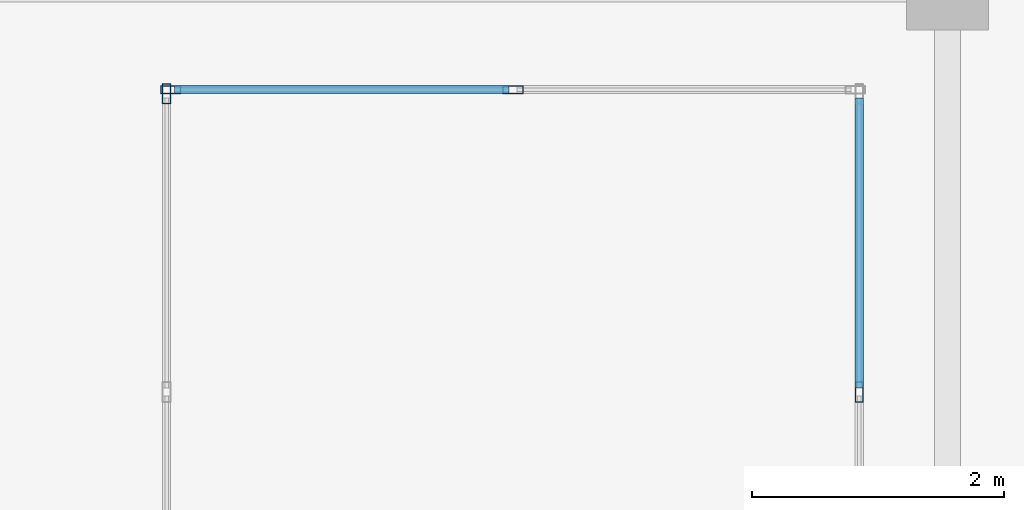
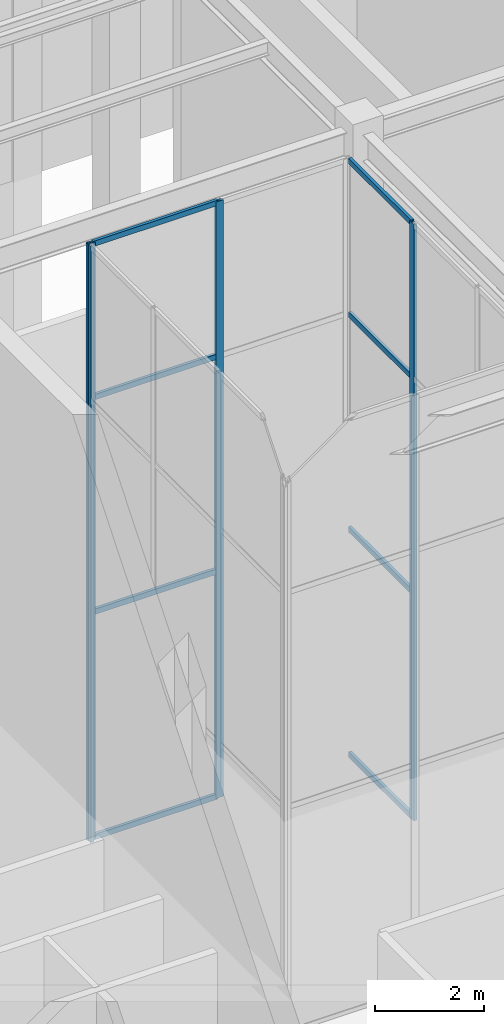
# One storey, part 8 of 15: 12 members, 3 elements without a shape of their own.
"""IFC4 building model written with IfcOpenShell, lengths in metres."""

from ifc_helpers import new_model, si_unit, direction, frame, origin, origin_2d, place, context, subcontext, project, spatial, hollow_rectangle, extrude, material, layer, layer_set, material_profile, profile_set, type_object, element, aggregate, save


model = new_model("IFC4")

# Units and contexts
model_context = context("Model", 3, precision=1e-05, world=origin(), true_north=direction((0.0, 1.0)))
body_context = subcontext(model_context, "Body", "Model", "MODEL_VIEW")
ifc_project = project(units=[si_unit("LENGTHUNIT", "METRE"), si_unit("AREAUNIT", "SQUARE_METRE"), si_unit("VOLUMEUNIT", "CUBIC_METRE"), si_unit("PLANEANGLEUNIT", "RADIAN"), si_unit("MASSUNIT", "GRAM", prefix="KILO")], contexts=[model_context])

# Site, building, storey
site_placement = place(None, origin())
site = spatial("IfcSite", under=ifc_project, at=site_placement, CompositionType="ELEMENT")
building_placement = place(site_placement, origin())
building = spatial("IfcBuilding", under=site, at=building_placement, Name="Kundavana Baori Tower", CompositionType="ELEMENT")
storey_placement = place(building_placement, frame((0.0, 0.0, 354.699951171875)))
storey = spatial("IfcBuildingStorey", under=building, at=storey_placement, Name="L88", CompositionType="ELEMENT", Elevation=354.699951171875)

# Curtain wall, member
ifc_material_1 = material(Name="Thermally Broken Anodised Aluminium Framing", Category="aluminium")
ifc_layer = layer(ifc_material_1, 0.25, Name="CW-SYS-7")
ifc_layer_set = layer_set([ifc_layer], Name="Thermally Broken Anodised Aluminium Framing")
curtain_wall_type = type_object("IfcCurtainWallType", Name="CW-SYS-7", PredefinedType="NOTDEFINED", material=ifc_layer_set)
curtain_wall_1_placement = place(storey_placement, origin())
curtain_wall_1 = element("IfcCurtainWall", 1, at=curtain_wall_1_placement, inside=storey, type_object=curtain_wall_type, Name="L88 Atrium Glazed Curtain Wall E", PredefinedType="NOTDEFINED")
ifc_material_2 = material(Name="Thermally Broken Anodised Aluminium Framing", Category="aluminium")
ifc_material_profile_1 = material_profile(ifc_material_2, hollow_rectangle(XDim=0.06494140625, YDim=0.159912109375, WallThickness=0.00390625, at=origin_2d()), Name="CW-MULL-160")
ifc_profile_set_1 = profile_set([ifc_material_profile_1], Name="Thermally Broken Anodised Aluminium Framing")
member_type_1 = type_object("IfcMemberType", Name="CW-MULL-160", PredefinedType="MULLION", material=ifc_profile_set_1)
member_1_placement = place(storey_placement, frame((33.10009765625, 29.800048828125, 0.0), z_axis=(0.0, 0.0, 1.0), x_axis=(-1.0, 0.0, 0.0)))
member_1 = element("IfcMember", 2, at=member_1_placement, type_object=member_type_1, Name="CW7 mullion 3", PredefinedType="MULLION", context=body_context, shape_type="SweptSolid", body=[
    extrude(hollow_rectangle(XDim=0.06494140625, YDim=0.159912109375, WallThickness=0.00390625, at=origin_2d()), origin(), (0.0, 0.0, 1.0), 13.400146484375),
])

# Curtain wall, members
curtain_wall_2_placement = place(storey_placement, origin())
curtain_wall_2 = element("IfcCurtainWall", 3, at=curtain_wall_2_placement, inside=storey, type_object=curtain_wall_type, Name="L88 Atrium Glazed Curtain Wall N", PredefinedType="NOTDEFINED")
member_2_placement = place(storey_placement, frame((30.35009765625, 32.199951171875, 0.0), z_axis=(0.0, 0.0, 1.0), x_axis=(0.0, -1.0, 0.0)))
member_2 = element("IfcMember", 4, at=member_2_placement, type_object=member_type_1, Name="CW7 mullion 2", PredefinedType="MULLION", context=body_context, shape_type="SweptSolid", body=[
    extrude(hollow_rectangle(XDim=0.06494140625, YDim=0.159912109375, WallThickness=0.00390625, at=origin_2d()), origin(), (0.0, 0.0, 1.0), 13.400146484375),
])
member_3_placement = place(storey_placement, frame((27.632568359375, 32.199951171875, 0.0), z_axis=(0.0, 0.0, 1.0), x_axis=(0.0, -1.0, 0.0)))
member_3 = element("IfcMember", 5, at=member_3_placement, type_object=member_type_1, Name="CW7 mullion 3", PredefinedType="MULLION", context=body_context, shape_type="SweptSolid", body=[
    extrude(hollow_rectangle(XDim=0.06494140625, YDim=0.159912109375, WallThickness=0.00390625, at=origin_2d()), origin(), (0.0, 0.0, 1.0), 13.400146484375),
])

# Curtain wall, member
curtain_wall_3_placement = place(storey_placement, origin())
curtain_wall_3 = element("IfcCurtainWall", 6, at=curtain_wall_3_placement, inside=storey, type_object=curtain_wall_type, Name="L88 Atrium Glazed Curtain Wall W", PredefinedType="NOTDEFINED")
member_4_placement = place(storey_placement, frame((27.60009765625, 32.16748046875, 0.0), z_axis=(0.0, 0.0, 1.0), x_axis=(1.0, 0.0, 0.0)))
member_4 = element("IfcMember", 7, at=member_4_placement, type_object=member_type_1, Name="CW7 mullion 1", PredefinedType="MULLION", context=body_context, shape_type="SweptSolid", body=[
    extrude(hollow_rectangle(XDim=0.06494140625, YDim=0.159912109375, WallThickness=0.00390625, at=origin_2d()), origin(), (0.0, 0.0, 1.0), 13.400146484375),
])
aggregate(curtain_wall_3, [member_4])

# Member
ifc_material_3 = material(Name="Thermally Broken Anodised Aluminium Framing", Category="aluminium")
ifc_material_profile_2 = material_profile(ifc_material_3, hollow_rectangle(XDim=0.06494140625, YDim=0.1201171875, WallThickness=0.00390625, at=origin_2d()), Name="CW-TRAN-120")
ifc_profile_set_2 = profile_set([ifc_material_profile_2], Name="Thermally Broken Anodised Aluminium Framing")
member_type_2 = type_object("IfcMemberType", Name="CW-TRAN-120", PredefinedType="USERDEFINED", material=ifc_profile_set_2)
member_5_placement = place(storey_placement, frame((33.10009765625, 29.83251953125, 0.032470703125), z_axis=(0.0, 1.0, 0.0), x_axis=(-1.0, 0.0, 0.0)))
member_5 = element("IfcMember", 8, at=member_5_placement, type_object=member_type_2, Name="CW7 transom 3.1", ObjectType="TRANSOM", PredefinedType="USERDEFINED", context=body_context, shape_type="SweptSolid", body=[
    extrude(hollow_rectangle(XDim=0.06494140625, YDim=0.1201171875, WallThickness=0.00390625, at=origin_2d()), origin(), (0.0, 0.0, 1.0), 2.302490234375),
])

member_6_placement = place(storey_placement, frame((33.10009765625, 29.83251953125, 5.092041015625), z_axis=(0.0, 1.0, 0.0), x_axis=(-1.0, 0.0, 0.0)))
member_6 = element("IfcMember", 9, at=member_6_placement, type_object=member_type_2, Name="CW7 transom 3.2", ObjectType="TRANSOM", PredefinedType="USERDEFINED", context=body_context, shape_type="SweptSolid", body=[
    extrude(hollow_rectangle(XDim=0.06494140625, YDim=0.1201171875, WallThickness=0.00390625, at=origin_2d()), origin(), (0.0, 0.0, 1.0), 2.302490234375),
])

member_7_placement = place(storey_placement, frame((33.10009765625, 29.83251953125, 9.916015625), z_axis=(0.0, 1.0, 0.0), x_axis=(-1.0, 0.0, 0.0)))
member_7 = element("IfcMember", 10, at=member_7_placement, type_object=member_type_2, Name="CW7 transom 3.3", ObjectType="TRANSOM", PredefinedType="USERDEFINED", context=body_context, shape_type="SweptSolid", body=[
    extrude(hollow_rectangle(XDim=0.06494140625, YDim=0.1201171875, WallThickness=0.00390625, at=origin_2d()), origin(), (0.0, 0.0, 1.0), 2.302490234375),
])

member_8_placement = place(storey_placement, frame((33.10009765625, 29.83251953125, 13.367431640625), z_axis=(0.0, 1.0, 0.0), x_axis=(-1.0, 0.0, 0.0)))
member_8 = element("IfcMember", 11, at=member_8_placement, type_object=member_type_2, Name="CW7 transom 3.4", ObjectType="TRANSOM", PredefinedType="USERDEFINED", context=body_context, shape_type="SweptSolid", body=[
    extrude(hollow_rectangle(XDim=0.06494140625, YDim=0.1201171875, WallThickness=0.00390625, at=origin_2d()), origin(), (0.0, 0.0, 1.0), 2.302490234375),
])

aggregate(curtain_wall_1, [member_1, member_5, member_6, member_7, member_8])

member_9_placement = place(storey_placement, frame((30.3173828125, 32.199951171875, 0.032470703125), z_axis=(-1.0, 0.0, 0.0), x_axis=(0.0, -1.0, 0.0)))
member_9 = element("IfcMember", 12, at=member_9_placement, type_object=member_type_2, Name="CW7 transom 2.1", ObjectType="TRANSOM", PredefinedType="USERDEFINED", context=body_context, shape_type="SweptSolid", body=[
    extrude(hollow_rectangle(XDim=0.06494140625, YDim=0.1201171875, WallThickness=0.00390625, at=origin_2d()), origin(), (0.0, 0.0, 1.0), 2.65234375),
])

member_10_placement = place(storey_placement, frame((30.3173828125, 32.199951171875, 5.092041015625), z_axis=(-1.0, 0.0, 0.0), x_axis=(0.0, -1.0, 0.0)))
member_10 = element("IfcMember", 13, at=member_10_placement, type_object=member_type_2, Name="CW7 transom 2.2", ObjectType="TRANSOM", PredefinedType="USERDEFINED", context=body_context, shape_type="SweptSolid", body=[
    extrude(hollow_rectangle(XDim=0.06494140625, YDim=0.1201171875, WallThickness=0.00390625, at=origin_2d()), origin(), (0.0, 0.0, 1.0), 2.65234375),
])

member_11_placement = place(storey_placement, frame((30.3173828125, 32.199951171875, 9.916015625), z_axis=(-1.0, 0.0, 0.0), x_axis=(0.0, -1.0, 0.0)))
member_11 = element("IfcMember", 14, at=member_11_placement, type_object=member_type_2, Name="CW7 transom 2.3", ObjectType="TRANSOM", PredefinedType="USERDEFINED", context=body_context, shape_type="SweptSolid", body=[
    extrude(hollow_rectangle(XDim=0.06494140625, YDim=0.1201171875, WallThickness=0.00390625, at=origin_2d()), origin(), (0.0, 0.0, 1.0), 2.65234375),
])

member_12_placement = place(storey_placement, frame((30.3173828125, 32.199951171875, 13.367431640625), z_axis=(-1.0, 0.0, 0.0), x_axis=(0.0, -1.0, 0.0)))
member_12 = element("IfcMember", 15, at=member_12_placement, type_object=member_type_2, Name="CW7 transom 2.4", ObjectType="TRANSOM", PredefinedType="USERDEFINED", context=body_context, shape_type="SweptSolid", body=[
    extrude(hollow_rectangle(XDim=0.06494140625, YDim=0.1201171875, WallThickness=0.00390625, at=origin_2d()), origin(), (0.0, 0.0, 1.0), 2.65234375),
])

aggregate(curtain_wall_2, [member_2, member_3, member_9, member_10, member_11, member_12])

save(model, "model.ifc")
